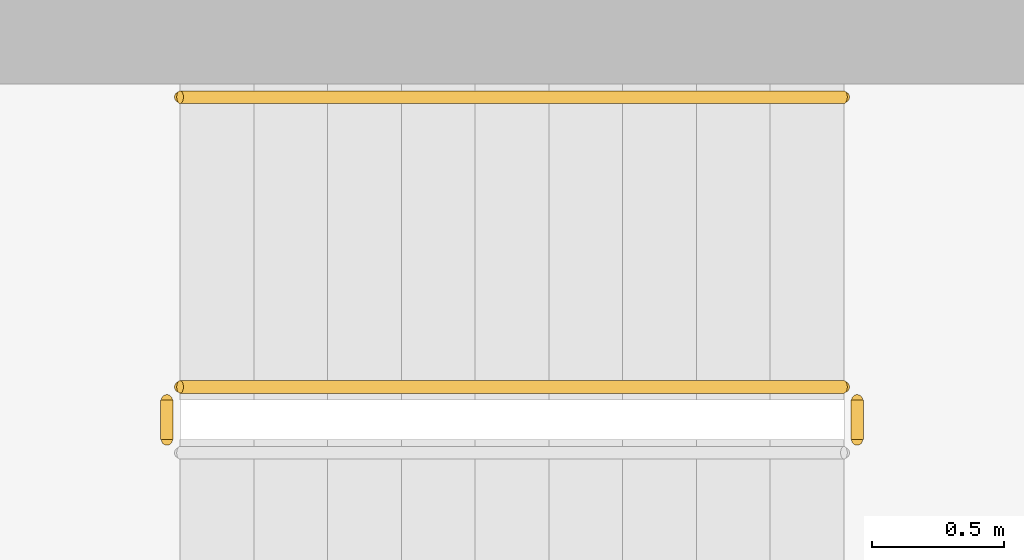
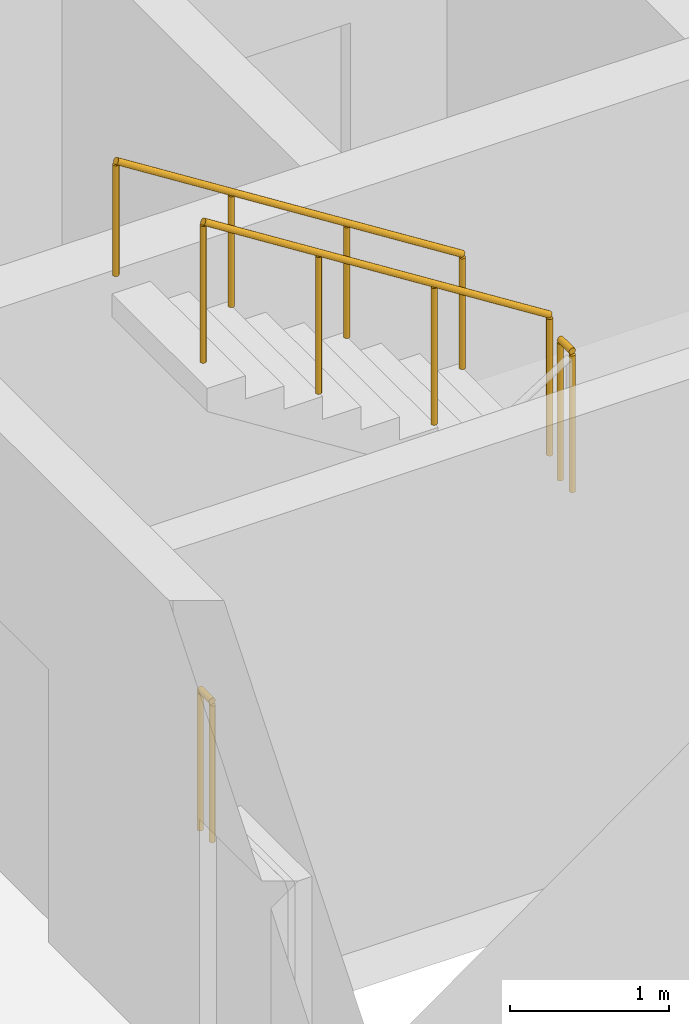
# One storey, part 15 of 17: 4 railings.
"""IFC4 building model written with IfcOpenShell, lengths in metres."""

from ifc_helpers import new_model, si_unit, direction, frame, origin, origin_2d, place, context, subcontext, project, spatial, circle, extrude, material, type_object, element, save


model = new_model("IFC4")

# Units and contexts
model_context = context("Model", 3, precision=1e-05, world=origin(), true_north=direction((0.0, 1.0)))
body_context = subcontext(model_context, "Body", "Model", "MODEL_VIEW")
ifc_project = project(units=[si_unit("LENGTHUNIT", "METRE"), si_unit("AREAUNIT", "SQUARE_METRE"), si_unit("VOLUMEUNIT", "CUBIC_METRE"), si_unit("PLANEANGLEUNIT", "RADIAN"), si_unit("MASSUNIT", "GRAM", prefix="KILO")], contexts=[model_context])

# Site, building, storey
site_placement = place(None, origin())
site = spatial("IfcSite", under=ifc_project, at=site_placement, CompositionType="ELEMENT")
building_placement = place(site_placement, origin())
building = spatial("IfcBuilding", under=site, at=building_placement, Name="Ostrand Prow Hotel Tower", CompositionType="ELEMENT")
storey_placement = place(building_placement, frame((0.0, 0.0, 88.449951171875)))
storey = spatial("IfcBuildingStorey", under=building, at=storey_placement, Name="L20", CompositionType="ELEMENT", Elevation=88.449951171875)

# Railings
ifc_material_1 = material(Name="Painted steel", Category="steel")
railing_type_1 = type_object("IfcRailingType", Name="Stair guard 1100", PredefinedType="GUARDRAIL", material=ifc_material_1)
railing_1_placement = place(storey_placement, frame((59.77001953125, -11.699951171875, 1.775146484375)))
element("IfcRailing", 1, at=railing_1_placement, inside=storey, type_object=railing_type_1, Name="L20 ST2C stair guard 2", PredefinedType="GUARDRAIL", context=body_context, shape_type="SweptSolid", body=[
    extrude(circle(Radius=0.02392578125, at=origin_2d()), frame((0.0, 0.0, 1.076171875), z_axis=(0.0, 1.0, 0.0), x_axis=(-1.0, 0.0, 0.0)), (0.0, 0.0, 1.0), 0.14990234375),
    extrude(circle(Radius=0.02099609375, at=origin_2d()), origin(), (0.0, 0.0, 1.0), 1.052001953125),
    extrude(circle(Radius=0.02099609375, at=origin_2d()), frame((0.0, 0.14990234375, 0.0)), (0.0, 0.0, 1.0), 1.052001953125),
])
railing_2_placement = place(storey_placement, frame((59.719970703125, -11.5, 1.95263671875)))
element("IfcRailing", 2, at=railing_2_placement, inside=storey, type_object=railing_type_1, Name="L20 ST2C stair guard 3", PredefinedType="GUARDRAIL", context=body_context, shape_type="SweptSolid", body=[
    extrude(circle(Radius=0.02392578125, at=origin_2d()), frame((0.0, 0.0, 1.076171875), z_axis=(-0.84460694969, 0.0, 0.535386869969), x_axis=(0.0, -1.0, 0.0)), (0.0, 0.0, 1.0), 2.983642578125),
    extrude(circle(Radius=0.02099609375, at=origin_2d()), origin(), (0.0, 0.0, 1.0), 1.052001953125),
    extrude(circle(Radius=0.02099609375, at=origin_2d()), frame((-0.840087890625, 0.0, 0.532470703125)), (0.0, 0.0, 1.0), 1.052001953125),
    extrude(circle(Radius=0.02099609375, at=origin_2d()), frame((-1.679931640625, 0.0, 1.06494140625)), (0.0, 0.0, 1.0), 1.052001953125),
    extrude(circle(Radius=0.02099609375, at=origin_2d()), frame((-2.52001953125, 0.0, 1.597412109375)), (0.0, 0.0, 1.0), 1.052001953125),
])
railing_3_placement = place(storey_placement, frame((57.14990234375, -11.699951171875, 0.0)))
element("IfcRailing", 3, at=railing_3_placement, inside=storey, type_object=railing_type_1, Name="L20 ST2C stair guard 4", PredefinedType="GUARDRAIL", context=body_context, shape_type="SweptSolid", body=[
    extrude(circle(Radius=0.02392578125, at=origin_2d()), frame((0.0, 0.0, 1.076171875), z_axis=(0.0, 1.0, 0.0), x_axis=(-1.0, 0.0, 0.0)), (0.0, 0.0, 1.0), 0.14990234375),
    extrude(circle(Radius=0.02099609375, at=origin_2d()), origin(), (0.0, 0.0, 1.0), 1.052001953125),
    extrude(circle(Radius=0.02099609375, at=origin_2d()), frame((0.0, 0.14990234375, 0.0)), (0.0, 0.0, 1.0), 1.052001953125),
])
ifc_material_2 = material(Name="Stainless steel", Category="steel")
railing_type_2 = type_object("IfcRailingType", Name="Stair handrail 900", PredefinedType="HANDRAIL", material=ifc_material_2)
railing_4_placement = place(storey_placement, frame((59.719970703125, -10.39990234375, 1.95263671875)))
element("IfcRailing", 4, at=railing_4_placement, inside=storey, type_object=railing_type_2, Name="L20 ST2C stair handrail 2", PredefinedType="HANDRAIL", context=body_context, shape_type="SweptSolid", body=[
    extrude(circle(Radius=0.02392578125, at=origin_2d()), frame((0.0, 0.0, 0.8759765625), z_axis=(-0.84460694969, 0.0, 0.535386869969), x_axis=(0.0, -1.0, 0.0)), (0.0, 0.0, 1.0), 2.983642578125),
    extrude(circle(Radius=0.02099609375, at=origin_2d()), origin(), (0.0, 0.0, 1.0), 0.851806640625),
    extrude(circle(Radius=0.02099609375, at=origin_2d()), frame((-0.840087890625, 0.0, 0.532470703125)), (0.0, 0.0, 1.0), 0.851806640625),
    extrude(circle(Radius=0.02099609375, at=origin_2d()), frame((-1.679931640625, 0.0, 1.06494140625)), (0.0, 0.0, 1.0), 0.851806640625),
    extrude(circle(Radius=0.02099609375, at=origin_2d()), frame((-2.52001953125, 0.0, 1.597412109375)), (0.0, 0.0, 1.0), 0.851806640625),
])

save(model, "model.ifc")
